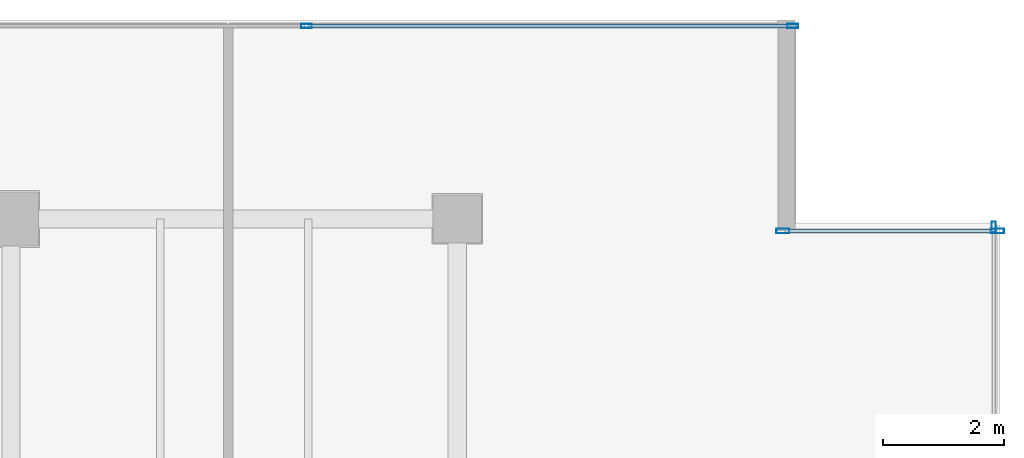
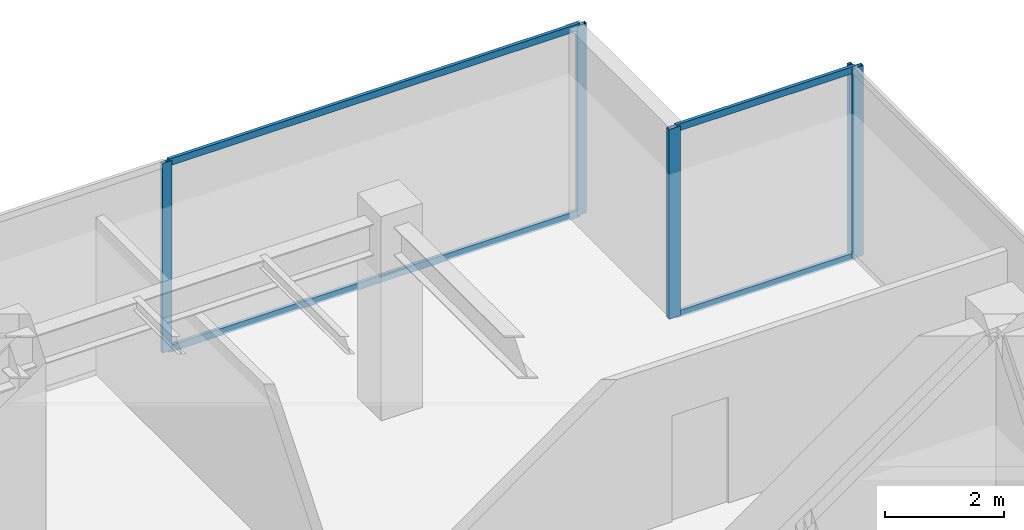
# One storey, part 24 of 32: 9 members, 3 elements without a shape of their own.
"""IFC4 building model written with IfcOpenShell, lengths in metres."""

from ifc_helpers import new_model, si_unit, direction, frame, origin, origin_2d, place, context, subcontext, project, spatial, hollow_rectangle, extrude, source, transform, mapped, material, layer, layer_set, material_profile, profile_set, type_object, type_shapes, element, aggregate, save


model = new_model("IFC4")

# Units and contexts
model_context = context("Model", 3, precision=1e-05, world=origin(), true_north=direction((0.0, 1.0)))
body_context = subcontext(model_context, "Body", "Model", "MODEL_VIEW")
ifc_project = project(units=[si_unit("LENGTHUNIT", "METRE"), si_unit("AREAUNIT", "SQUARE_METRE"), si_unit("VOLUMEUNIT", "CUBIC_METRE"), si_unit("PLANEANGLEUNIT", "RADIAN"), si_unit("MASSUNIT", "GRAM", prefix="KILO")], contexts=[model_context])

# Site, building, storey
site_placement = place(None, origin())
site = spatial("IfcSite", under=ifc_project, at=site_placement, CompositionType="ELEMENT")
building_placement = place(site_placement, origin())
building = spatial("IfcBuilding", under=site, at=building_placement, Name="Haelvirn Gate Laboratories", CompositionType="ELEMENT")
storey_placement = place(building_placement, frame((0.0, 0.0, 301.800048828125)))
storey = spatial("IfcBuildingStorey", under=building, at=storey_placement, Name="L72", CompositionType="ELEMENT", Elevation=301.800048828125)

# Curtain wall, member
ifc_material_1 = material(Name="Anodised bronze unitised aluminium & triple low-E glass", Category="aluminium")
ifc_layer_1 = layer(ifc_material_1, 0.176025390625, Name="CW-SYS-4")
ifc_layer_set_1 = layer_set([ifc_layer_1], Name="Anodised bronze unitised aluminium & triple low-E glass")
curtain_wall_type_1 = type_object("IfcCurtainWallType", Name="CW-SYS-4", PredefinedType="NOTDEFINED", material=ifc_layer_set_1)
curtain_wall_1_placement = place(storey_placement, origin())
curtain_wall_1 = element("IfcCurtainWall", 1, at=curtain_wall_1_placement, inside=storey, type_object=curtain_wall_type_1, Name="L72 Unitised Curtain Wall CW-L72-P0-E07", PredefinedType="NOTDEFINED")
ifc_material_2 = material(Name="Extruded aluminium 6063-T6 (anodised bronze)", Category="aluminium")
ifc_material_profile_1 = material_profile(ifc_material_2, hollow_rectangle(XDim=0.070068359375, YDim=0.179931640625, WallThickness=0.0048828125, at=origin_2d()), Name="CWM-180x70x5")
ifc_profile_set_1 = profile_set([ifc_material_profile_1], Name="Extruded aluminium 6063-T6 (anodised bronze)")
member_type_1 = type_object("IfcMemberType", Name="CWM-T180", PredefinedType="MULLION", material=ifc_profile_set_1)
shared_shape_1 = source(origin(), body_context, "Body", "SweptSolid", [
    extrude(hollow_rectangle(XDim=0.070068359375, YDim=0.179931640625, WallThickness=0.0048828125, at=origin_2d()), origin(), (0.0, 0.0, 1.0), 3.89990234375),
])
type_shapes(member_type_1, [shared_shape_1])
member_1_placement = place(storey_placement, frame((68.89990234375, 41.465087890625, 0.0), z_axis=(0.0, 0.0, 1.0), x_axis=(-1.0, 0.0, 0.0)))
member_1 = element("IfcMember", 2, at=member_1_placement, type_object=member_type_1, Name="CW4 mullion 3", PredefinedType="MULLION", context=body_context, shape_type="MappedRepresentation", body=[
    mapped(shared_shape_1, transform((0.0, 0.0, 0.0), scale=1.0)),
])
aggregate(curtain_wall_1, [member_1])

# Curtain wall, members
curtain_wall_2_placement = place(storey_placement, origin())
curtain_wall_2 = element("IfcCurtainWall", 3, at=curtain_wall_2_placement, inside=storey, type_object=curtain_wall_type_1, Name="L72 Unitised Curtain Wall CW-L72-P0-E10-1", PredefinedType="NOTDEFINED")
member_2_placement = place(storey_placement, frame((57.5, 44.800048828125, 0.0), z_axis=(0.0, 0.0, 1.0), x_axis=(0.0, 1.0, 0.0)))
member_2 = element("IfcMember", 4, at=member_2_placement, type_object=member_type_1, Name="CW4 mullion 2", PredefinedType="MULLION", context=body_context, shape_type="MappedRepresentation", body=[
    mapped(shared_shape_1, transform((0.0, 0.0, 0.0), scale=1.0)),
])
member_3_placement = place(storey_placement, frame((65.56494140625, 44.800048828125, 0.0), z_axis=(0.0, 0.0, 1.0), x_axis=(0.0, 1.0, 0.0)))
member_3 = element("IfcMember", 5, at=member_3_placement, type_object=member_type_1, Name="CW4 mullion 3", PredefinedType="MULLION", context=body_context, shape_type="MappedRepresentation", body=[
    mapped(shared_shape_1, transform((0.0, 0.0, 0.0), scale=1.0)),
])

ifc_layer_2 = layer(ifc_material_1, 0.181884765625, Name="CW-SYS-5")
ifc_layer_set_2 = layer_set([ifc_layer_2], Name="Anodised bronze unitised aluminium & triple low-E glass")
curtain_wall_type_2 = type_object("IfcCurtainWallType", Name="CW-SYS-5", PredefinedType="NOTDEFINED", material=ifc_layer_set_2)
curtain_wall_3_placement = place(storey_placement, origin())
curtain_wall_3 = element("IfcCurtainWall", 6, at=curtain_wall_3_placement, inside=storey, type_object=curtain_wall_type_2, Name="L72 Unitised Curtain Wall CW-L72-P0-E08-1", PredefinedType="NOTDEFINED")
ifc_material_profile_2 = material_profile(ifc_material_2, hollow_rectangle(XDim=0.080078125, YDim=0.219970703125, WallThickness=0.006103515625, at=origin_2d()), Name="CWM-220x80x6")
ifc_profile_set_2 = profile_set([ifc_material_profile_2], Name="Extruded aluminium 6063-T6 (anodised bronze)")
member_type_2 = type_object("IfcMemberType", Name="CWM-T220", PredefinedType="MULLION", material=ifc_profile_set_2)
shared_shape_2 = source(origin(), body_context, "Body", "SweptSolid", [
    extrude(hollow_rectangle(XDim=0.080078125, YDim=0.219970703125, WallThickness=0.006103515625, at=origin_2d()), origin(), (0.0, 0.0, 1.0), 3.89990234375),
])
type_shapes(member_type_2, [shared_shape_2])
member_4_placement = place(storey_placement, frame((65.39990234375, 41.39990234375, 0.0), z_axis=(0.0, 0.0, 1.0), x_axis=(0.0, 1.0, 0.0)))
member_4 = element("IfcMember", 7, at=member_4_placement, type_object=member_type_2, Name="CW5 mullion 1", PredefinedType="MULLION", context=body_context, shape_type="MappedRepresentation", body=[
    mapped(shared_shape_2, transform((0.0, 0.0, 0.0), scale=1.0)),
])
member_5_placement = place(storey_placement, frame((68.9599609375, 41.39990234375, 0.0), z_axis=(0.0, 0.0, 1.0), x_axis=(0.0, 1.0, 0.0)))
member_5 = element("IfcMember", 8, at=member_5_placement, type_object=member_type_2, Name="CW5 mullion 2", PredefinedType="MULLION", context=body_context, shape_type="MappedRepresentation", body=[
    mapped(shared_shape_2, transform((0.0, 0.0, 0.0), scale=1.0)),
])
ifc_material_profile_3 = material_profile(ifc_material_2, hollow_rectangle(XDim=0.06494140625, YDim=0.139892578125, WallThickness=0.00390625, at=origin_2d()), Name="CWT-140x65x4")
ifc_profile_set_3 = profile_set([ifc_material_profile_3], Name="Extruded aluminium 6063-T6 (anodised bronze)")
member_type_3 = type_object("IfcMemberType", Name="CWT-T140", PredefinedType="USERDEFINED", material=ifc_profile_set_3)
shared_shape_3 = source(origin(), body_context, "Body", "SweptSolid", [
    extrude(hollow_rectangle(XDim=0.06494140625, YDim=0.139892578125, WallThickness=0.00390625, at=origin_2d()), origin(), (0.0, 0.0, 1.0), 3.47998046875),
])
member_6_placement = place(storey_placement, frame((65.43994140625, 41.39990234375, 0.032470703125), z_axis=(1.0, 0.0, 0.0), x_axis=(0.0, 1.0, 0.0)))
member_6 = element("IfcMember", 9, at=member_6_placement, type_object=member_type_3, Name="CW5 transom 1.1", ObjectType="TRANSOM", PredefinedType="USERDEFINED", context=body_context, shape_type="MappedRepresentation", body=[
    mapped(shared_shape_3, transform((0.0, 0.0, 0.0), scale=1.0)),
])
member_7_placement = place(storey_placement, frame((65.43994140625, 41.39990234375, 3.867431640625), z_axis=(1.0, 0.0, 0.0), x_axis=(0.0, 1.0, 0.0)))
member_7 = element("IfcMember", 10, at=member_7_placement, type_object=member_type_3, Name="CW5 transom 1.2", ObjectType="TRANSOM", PredefinedType="USERDEFINED", context=body_context, shape_type="MappedRepresentation", body=[
    mapped(shared_shape_3, transform((0.0, 0.0, 0.0), scale=1.0)),
])
aggregate(curtain_wall_3, [member_4, member_5, member_6, member_7])

# Member
shared_shape_4 = source(origin(), body_context, "Body", "SweptSolid", [
    extrude(hollow_rectangle(XDim=0.06494140625, YDim=0.139892578125, WallThickness=0.00390625, at=origin_2d()), origin(), (0.0, 0.0, 1.0), 7.9951171875),
])
type_shapes(member_type_3, [shared_shape_3, shared_shape_4])
member_8_placement = place(storey_placement, frame((57.534912109375, 44.800048828125, 0.032470703125), z_axis=(1.0, 0.0, 0.0), x_axis=(0.0, 1.0, 0.0)))
member_8 = element("IfcMember", 11, at=member_8_placement, type_object=member_type_3, Name="CW4 transom 2.1", ObjectType="TRANSOM", PredefinedType="USERDEFINED", context=body_context, shape_type="MappedRepresentation", body=[
    mapped(shared_shape_4, transform((0.0, 0.0, 0.0), scale=1.0)),
])

member_9_placement = place(storey_placement, frame((57.534912109375, 44.800048828125, 3.867431640625), z_axis=(1.0, 0.0, 0.0), x_axis=(0.0, 1.0, 0.0)))
member_9 = element("IfcMember", 12, at=member_9_placement, type_object=member_type_3, Name="CW4 transom 2.2", ObjectType="TRANSOM", PredefinedType="USERDEFINED", context=body_context, shape_type="MappedRepresentation", body=[
    mapped(shared_shape_4, transform((0.0, 0.0, 0.0), scale=1.0)),
])

aggregate(curtain_wall_2, [member_2, member_3, member_8, member_9])

save(model, "model.ifc")
